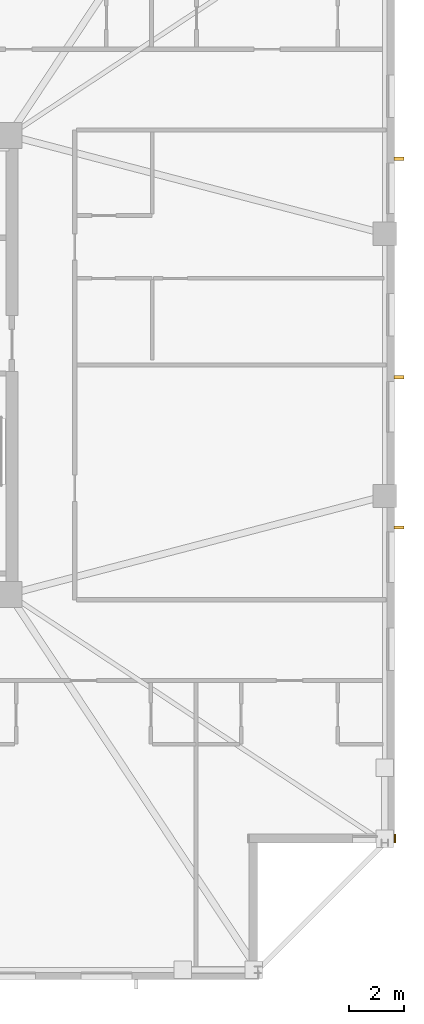
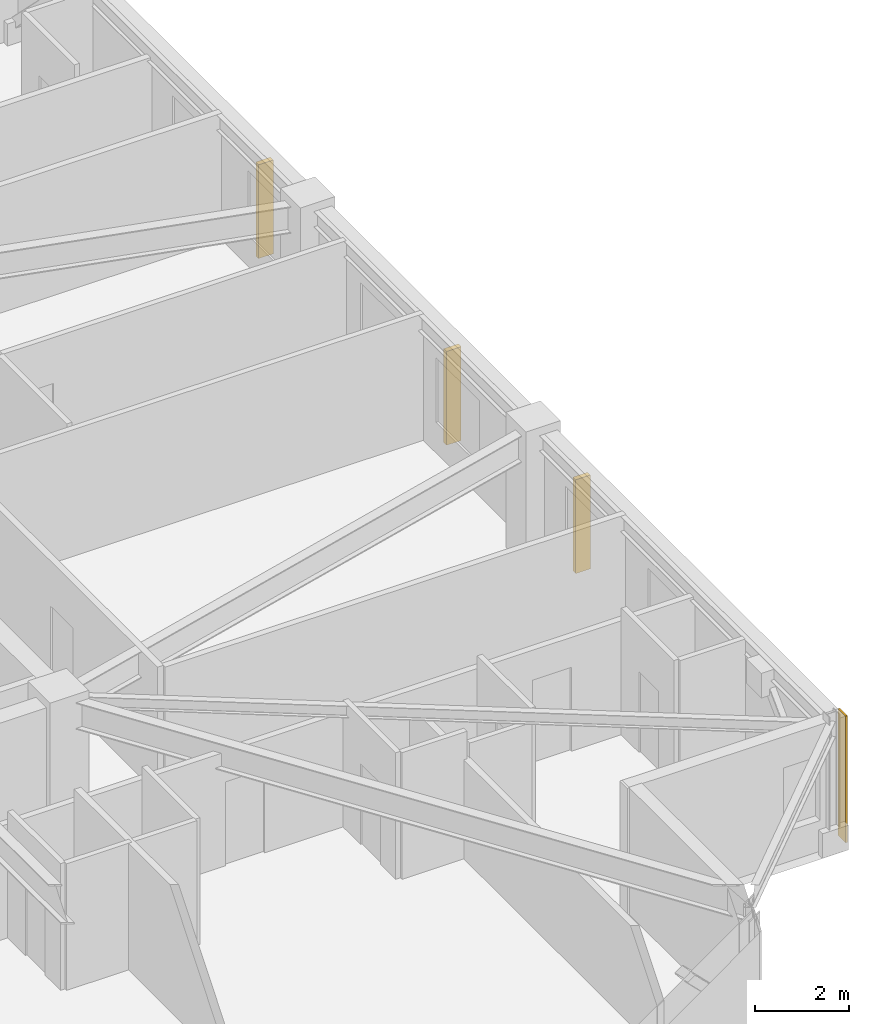
# One storey, part 15 of 17: 3 shading devices, 1 covering.
"""IFC4 building model written with IfcOpenShell, lengths in metres."""

import ifcopenshell
import ifcopenshell.guid

model = None  # the IFC model being written
_history = None  # IfcOwnerHistory: only IFC2X3 demands one
_inside = {}  # id of a spatial element -> (the spatial element, [elements in it])
_under = {}  # id of a project, library or spatial element -> (it, [spatial elements below it])
_declared = {}  # id of a project -> (the project, [libraries it declares])
_typed = {}  # id of a type object -> (the type object, [elements of that type])
_made_of = {}  # id of a material, layer set ... -> (it, [elements and type objects made of it])


def new_model(schema):
    """Start an empty IFC model of exactly this schema.

    Asked for "IFC4X3", IfcOpenShell would pick the latest addendum, in which some entities
    have other attributes; the version numbers below select the first issue.
    IFC2X3 requires an IfcOwnerHistory on every rooted entity: one is made here for all.
    """
    global model, _history
    if schema == "IFC4X3":
        model = ifcopenshell.file(schema_version=(4, 3, 0, 0))
    else:
        model = ifcopenshell.file(schema=schema)
    _inside.clear()
    _under.clear()
    _declared.clear()
    _typed.clear()
    _made_of.clear()
    _history = None
    if model.schema == "IFC2X3":
        org = make("IfcOrganization", Name="unknown")
        user = make(
            "IfcPersonAndOrganization",
            ThePerson=make("IfcPerson", FamilyName="unknown"),
            TheOrganization=org,
        )
        app = make(
            "IfcApplication",
            ApplicationDeveloper=org,
            Version="unknown",
            ApplicationFullName="unknown",
            ApplicationIdentifier="unknown",
        )
        _history = make(
            "IfcOwnerHistory",
            OwningUser=user,
            OwningApplication=app,
            ChangeAction="ADDED",
            CreationDate=0,
        )
    return model


def make(cls, **values):
    """One entity of the class cls with the attributes given. An attribute that is None is left unset."""
    return model.create_entity(
        cls, **{name: value for name, value in values.items() if value is not None}
    )


def rooted(cls, **values):
    """An entity with a GlobalId (a new one), such as an element, a storey or a relation."""
    return make(cls, GlobalId=ifcopenshell.guid.new(), OwnerHistory=_history, **values)


def si_unit(unit_type, name, prefix=None):
    """IfcSIUnit, for example si_unit("LENGTHUNIT", "METRE", prefix="MILLI")."""
    return make("IfcSIUnit", UnitType=unit_type, Prefix=prefix, Name=name)


def assignment(units):
    """IfcUnitAssignment: the units of a project."""
    return None if units is None else make("IfcUnitAssignment", Units=units)


def point(xyz):
    """IfcCartesianPoint."""
    return None if xyz is None else make("IfcCartesianPoint", Coordinates=xyz)


def direction(xyz):
    """IfcDirection."""
    return None if xyz is None else make("IfcDirection", DirectionRatios=xyz)


def frame(location, z_axis=None, x_axis=None):
    """IfcAxis2Placement3D, a coordinate frame: its origin and axes. An axis left out is left unset."""
    return make(
        "IfcAxis2Placement3D",
        Location=point(location),
        Axis=direction(z_axis),
        RefDirection=direction(x_axis),
    )


def frame_2d(location, x_axis=None):
    """IfcAxis2Placement2D, a coordinate frame in the plane: its origin and x axis."""
    return make(
        "IfcAxis2Placement2D", Location=point(location), RefDirection=direction(x_axis)
    )


def origin():
    """The frame at (0, 0, 0) with its axes left unset."""
    return frame((0.0, 0.0, 0.0))


def origin_2d():
    """The frame at (0, 0) in the plane with its x axis left unset."""
    return frame_2d((0.0, 0.0))


def place(relative_to, where):
    """IfcLocalPlacement: puts the frame where relative to a parent placement (None: the world)."""
    return make(
        "IfcLocalPlacement", PlacementRelTo=relative_to, RelativePlacement=where
    )


def context(
    kind, dimensions, precision=None, world=None, true_north=None, identifier=None
):
    """IfcGeometricRepresentationContext, for example the 3D "Model" context."""
    return make(
        "IfcGeometricRepresentationContext",
        ContextIdentifier=identifier,
        ContextType=kind,
        CoordinateSpaceDimension=dimensions,
        Precision=precision,
        WorldCoordinateSystem=world,
        TrueNorth=true_north,
    )


def subcontext(parent, identifier, kind, view, scale=None):
    """IfcGeometricRepresentationSubContext, for example "Body" below "Model"."""
    return make(
        "IfcGeometricRepresentationSubContext",
        ContextIdentifier=identifier,
        ContextType=kind,
        ParentContext=parent,
        TargetScale=scale,
        TargetView=view,
    )


def project(units=None, contexts=None):
    """IfcProject with its units and contexts."""
    return rooted(
        "IfcProject",
        Name="project",
        RepresentationContexts=contexts,
        UnitsInContext=assignment(units),
    )


def spatial(cls, under=None, at=None, **own):
    """A site, building, storey or space (cls), placed at a placement, below another one or the project."""
    s = rooted(cls, ObjectPlacement=at, **own)
    if under is not None:
        _under.setdefault(under.id(), (under, []))[1].append(s)
    return s


def profile(cls, at=None, kind="AREA", **sizes):
    """A parametric profile (cls). Its sizes go by their IFC names, for example OverallWidth=200.0."""
    return make(cls, ProfileType=kind, Position=at, **sizes)


def rectangle(**sizes):
    """IfcRectangleProfileDef."""
    return profile("IfcRectangleProfileDef", **sizes)


def extrude(swept, where, along, depth):
    """IfcExtrudedAreaSolid: the profile swept, set in the frame where, extruded along a direction by depth."""
    return make(
        "IfcExtrudedAreaSolid",
        SweptArea=swept,
        Position=where,
        ExtrudedDirection=direction(along),
        Depth=depth,
    )


def shape(context_of_items, identifier, shape_type, items):
    """IfcShapeRepresentation: the items that make up one representation, for example the "Body"."""
    return make(
        "IfcShapeRepresentation",
        ContextOfItems=context_of_items,
        RepresentationIdentifier=identifier,
        RepresentationType=shape_type,
        Items=items,
    )


def material(Name=None, Category=None):
    """IfcMaterial."""
    return make("IfcMaterial", Name=Name, Category=Category)


def layer(
    of_material, thickness, ventilated=None, Name=None, Category=None, Priority=None
):
    """IfcMaterialLayer: one layer of a wall or slab, of a material (None: an air gap)."""
    return make(
        "IfcMaterialLayer",
        Material=of_material,
        LayerThickness=thickness,
        IsVentilated=ventilated,
        Name=Name,
        Category=Category,
        Priority=Priority,
    )


def layer_set(layers, Name=None):
    """IfcMaterialLayerSet."""
    return make("IfcMaterialLayerSet", MaterialLayers=layers, LayerSetName=Name)


def made_of(thing, what):
    """Note that an element or type object is made of a material, layer set ...; save() writes the relation."""
    if what is not None:
        _made_of.setdefault(what.id(), (what, []))[1].append(thing)
    return thing


def type_object(cls, material=None, **own):
    """A type object (cls), such as IfcWallType, which elements share."""
    return made_of(rooted(cls, **own), material)


def element(
    cls,
    number,
    at=None,
    inside=None,
    cuts=None,
    type_object=None,
    material=None,
    context=None,
    identifier="Body",
    shape_type=None,
    held_by="IfcProductDefinitionShape",
    body=None,
    shapes=None,
    **own,
):
    """One element of the class cls, such as IfcWall. Its Tag is "e" and its number.

    at: its placement. inside: the storey or other place that contains it. cuts: it is an
    opening in that element (IfcRelVoidsElement). A single representation is given by context,
    identifier, shape_type and body (its items); several are given by shapes. held_by: the class
    of the entity that holds the representations. save() writes the other relations.
    """
    e = rooted(cls, Tag="e%d" % number, ObjectPlacement=at, **own)
    if body is not None:
        shapes = [shape(context, identifier, shape_type, body)]
    if shapes is not None:
        e.Representation = make(held_by, Representations=shapes)
    if inside is not None:
        _inside.setdefault(inside.id(), (inside, []))[1].append(e)
    if cuts is not None:
        rooted(
            "IfcRelVoidsElement", RelatingBuildingElement=cuts, RelatedOpeningElement=e
        )
    if type_object is not None:
        _typed.setdefault(type_object.id(), (type_object, []))[1].append(e)
    return made_of(e, material)


def aggregate(whole, parts):
    """IfcRelAggregates: a whole, such as a stair, and the parts it consists of."""
    return rooted("IfcRelAggregates", RelatingObject=whole, RelatedObjects=parts)


def save(model, path):
    """Write the relations noted so far, then the file.

    IfcRelAggregates (storeys below a building ...), IfcRelContainedInSpatialStructure (elements
    in a storey), IfcRelDefinesByType, IfcRelAssociatesMaterial and IfcRelDeclares: one each for
    every whole, place, type object, material and project.
    """
    for whole, parts in _under.values():
        aggregate(whole, parts)
    for where, things in _inside.values():
        rooted(
            "IfcRelContainedInSpatialStructure",
            RelatedElements=things,
            RelatingStructure=where,
        )
    for kind, things in _typed.values():
        rooted("IfcRelDefinesByType", RelatedObjects=things, RelatingType=kind)
    for what, things in _made_of.values():
        rooted("IfcRelAssociatesMaterial", RelatedObjects=things, RelatingMaterial=what)
    for by, libraries in _declared.values():
        rooted("IfcRelDeclares", RelatingContext=by, RelatedDefinitions=libraries)
    model.write(path)


model = new_model("IFC4")

# Units and contexts
model_context = context("Model", 3, precision=1e-05, world=origin(), true_north=direction((0.0, 1.0)))
body_context = subcontext(model_context, "Body", "Model", "MODEL_VIEW")
ifc_project = project(units=[si_unit("LENGTHUNIT", "METRE"), si_unit("AREAUNIT", "SQUARE_METRE"), si_unit("VOLUMEUNIT", "CUBIC_METRE"), si_unit("PLANEANGLEUNIT", "RADIAN"), si_unit("MASSUNIT", "GRAM", prefix="KILO")], contexts=[model_context])

# Site, building, storey
site_placement = place(None, origin())
site = spatial("IfcSite", under=ifc_project, at=site_placement, CompositionType="ELEMENT")
building_placement = place(site_placement, origin())
building = spatial("IfcBuilding", under=site, at=building_placement, Name="Cairnveth Concourse Tower", CompositionType="ELEMENT")
storey_placement = place(building_placement, frame((0.0, 0.0, 237.5)))
storey = spatial("IfcBuildingStorey", under=building, at=storey_placement, Name="L65", CompositionType="ELEMENT", Elevation=237.5)

# Covering
ifc_material_1 = material(Name="Dressed Melbourne Bluestone Cladding", Category="masonry")
ifc_layer = layer(ifc_material_1, 0.050048828125)
ifc_layer_set = layer_set([ifc_layer], Name="Dressed Melbourne Bluestone Cladding")
covering_type = type_object("IfcCoveringType", Name="DRESSED BLUESTONE PLINTH CLADDING 50", PredefinedType="CLADDING", material=ifc_layer_set)
covering_placement = place(storey_placement, frame((74.52001953125, 21.820068359375, 0.0), z_axis=(0.0, 0.0, 1.0), x_axis=(0.0, -1.0, 0.0)))
element("IfcCovering", 1, at=covering_placement, inside=storey, type_object=covering_type, Name="Melbourne Bluestone Corner Quoin L65-982", PredefinedType="CLADDING", context=body_context, shape_type="SweptSolid", body=[
    extrude(rectangle(XDim=0.320068359375, YDim=0.050048828125, at=frame_2d((0.16015625, 0.0))), origin(), (0.0, 0.0, 1.0), 3.2900390625),
])

# Shading devices
ifc_material_2 = material(Name="Architectural Bronze Anodised Aluminium 6063-T6", Category="aluminium")
shading_device_type = type_object("IfcShadingDeviceType", Name="GOTHIC BRONZE VERTICAL LANCET FIN", PredefinedType="USERDEFINED", material=ifc_material_2)
for number, where, z_axis, x_axis, name in (
    (2, (74.675048828125, 46.546875, 0.030029296875), (0.0, 0.0, 1.0), (0.0, 1.0, 0.0), "Gothic Bronze Vertical Fin L65-6-3"),
    (3, (74.675048828125, 38.54638671875, 0.030029296875), (0.0, 0.0, 1.0), (0.0, 1.0, 0.0), "Gothic Bronze Vertical Fin L65-6-5"),
    (4, (74.675048828125, 33.0458984375, 0.030029296875), (0.0, 0.0, 1.0), (0.0, 1.0, 0.0), "Gothic Bronze Vertical Fin L65-6-7"),
):
    element("IfcShadingDevice", number, at=place(storey_placement, frame(where, z_axis=z_axis, x_axis=x_axis)), inside=storey, type_object=shading_device_type, Name=name, ObjectType="VERTICAL FIN", PredefinedType="USERDEFINED", context=body_context, shape_type="SweptSolid", body=[
        extrude(rectangle(XDim=0.1201171875, YDim=0.360107421875, at=origin_2d()), origin(), (0.0, 0.0, 1.0), 2.43798828125),
    ])

save(model, "model.ifc")
